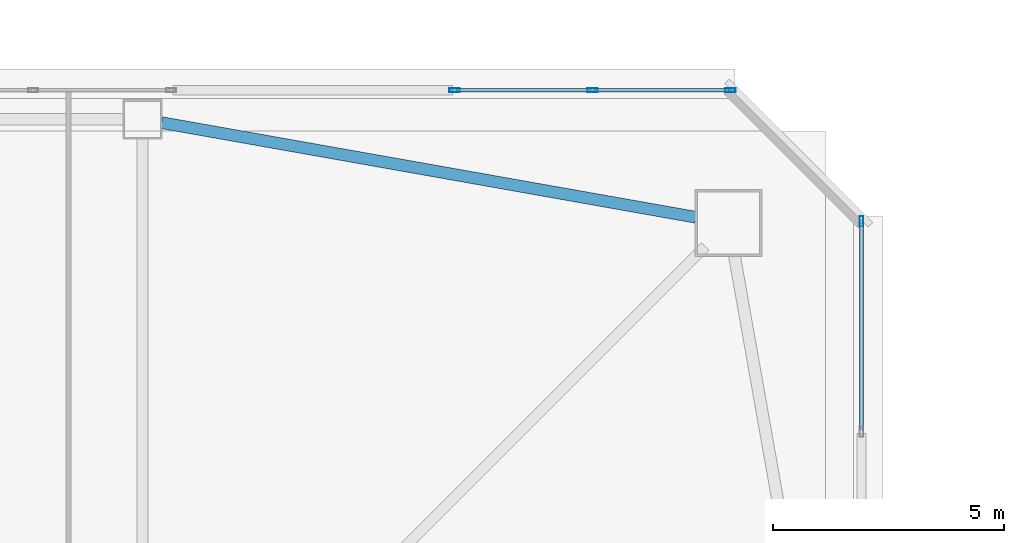
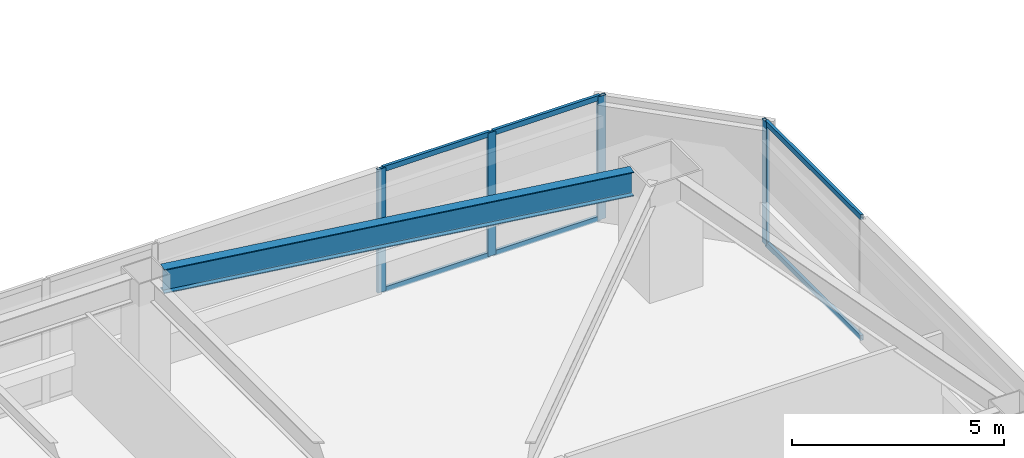
# One storey, part 15 of 44: 10 members, 1 beam, 2 elements without a shape of their own.
"""IFC4 building model written with IfcOpenShell, lengths in metres."""

import ifcopenshell
import ifcopenshell.guid

model = None  # the IFC model being written
_history = None  # IfcOwnerHistory: only IFC2X3 demands one
_inside = {}  # id of a spatial element -> (the spatial element, [elements in it])
_under = {}  # id of a project, library or spatial element -> (it, [spatial elements below it])
_declared = {}  # id of a project -> (the project, [libraries it declares])
_typed = {}  # id of a type object -> (the type object, [elements of that type])
_made_of = {}  # id of a material, layer set ... -> (it, [elements and type objects made of it])


def new_model(schema):
    """Start an empty IFC model of exactly this schema.

    Asked for "IFC4X3", IfcOpenShell would pick the latest addendum, in which some entities
    have other attributes; the version numbers below select the first issue.
    IFC2X3 requires an IfcOwnerHistory on every rooted entity: one is made here for all.
    """
    global model, _history
    if schema == "IFC4X3":
        model = ifcopenshell.file(schema_version=(4, 3, 0, 0))
    else:
        model = ifcopenshell.file(schema=schema)
    _inside.clear()
    _under.clear()
    _declared.clear()
    _typed.clear()
    _made_of.clear()
    _history = None
    if model.schema == "IFC2X3":
        org = make("IfcOrganization", Name="unknown")
        user = make(
            "IfcPersonAndOrganization",
            ThePerson=make("IfcPerson", FamilyName="unknown"),
            TheOrganization=org,
        )
        app = make(
            "IfcApplication",
            ApplicationDeveloper=org,
            Version="unknown",
            ApplicationFullName="unknown",
            ApplicationIdentifier="unknown",
        )
        _history = make(
            "IfcOwnerHistory",
            OwningUser=user,
            OwningApplication=app,
            ChangeAction="ADDED",
            CreationDate=0,
        )
    return model


def make(cls, **values):
    """One entity of the class cls with the attributes given. An attribute that is None is left unset."""
    return model.create_entity(
        cls, **{name: value for name, value in values.items() if value is not None}
    )


def rooted(cls, **values):
    """An entity with a GlobalId (a new one), such as an element, a storey or a relation."""
    return make(cls, GlobalId=ifcopenshell.guid.new(), OwnerHistory=_history, **values)


def si_unit(unit_type, name, prefix=None):
    """IfcSIUnit, for example si_unit("LENGTHUNIT", "METRE", prefix="MILLI")."""
    return make("IfcSIUnit", UnitType=unit_type, Prefix=prefix, Name=name)


def assignment(units):
    """IfcUnitAssignment: the units of a project."""
    return None if units is None else make("IfcUnitAssignment", Units=units)


def point(xyz):
    """IfcCartesianPoint."""
    return None if xyz is None else make("IfcCartesianPoint", Coordinates=xyz)


def direction(xyz):
    """IfcDirection."""
    return None if xyz is None else make("IfcDirection", DirectionRatios=xyz)


def frame(location, z_axis=None, x_axis=None):
    """IfcAxis2Placement3D, a coordinate frame: its origin and axes. An axis left out is left unset."""
    return make(
        "IfcAxis2Placement3D",
        Location=point(location),
        Axis=direction(z_axis),
        RefDirection=direction(x_axis),
    )


def frame_2d(location, x_axis=None):
    """IfcAxis2Placement2D, a coordinate frame in the plane: its origin and x axis."""
    return make(
        "IfcAxis2Placement2D", Location=point(location), RefDirection=direction(x_axis)
    )


def origin():
    """The frame at (0, 0, 0) with its axes left unset."""
    return frame((0.0, 0.0, 0.0))


def origin_2d():
    """The frame at (0, 0) in the plane with its x axis left unset."""
    return frame_2d((0.0, 0.0))


def place(relative_to, where):
    """IfcLocalPlacement: puts the frame where relative to a parent placement (None: the world)."""
    return make(
        "IfcLocalPlacement", PlacementRelTo=relative_to, RelativePlacement=where
    )


def context(
    kind, dimensions, precision=None, world=None, true_north=None, identifier=None
):
    """IfcGeometricRepresentationContext, for example the 3D "Model" context."""
    return make(
        "IfcGeometricRepresentationContext",
        ContextIdentifier=identifier,
        ContextType=kind,
        CoordinateSpaceDimension=dimensions,
        Precision=precision,
        WorldCoordinateSystem=world,
        TrueNorth=true_north,
    )


def subcontext(parent, identifier, kind, view, scale=None):
    """IfcGeometricRepresentationSubContext, for example "Body" below "Model"."""
    return make(
        "IfcGeometricRepresentationSubContext",
        ContextIdentifier=identifier,
        ContextType=kind,
        ParentContext=parent,
        TargetScale=scale,
        TargetView=view,
    )


def project(units=None, contexts=None):
    """IfcProject with its units and contexts."""
    return rooted(
        "IfcProject",
        Name="project",
        RepresentationContexts=contexts,
        UnitsInContext=assignment(units),
    )


def spatial(cls, under=None, at=None, **own):
    """A site, building, storey or space (cls), placed at a placement, below another one or the project."""
    s = rooted(cls, ObjectPlacement=at, **own)
    if under is not None:
        _under.setdefault(under.id(), (under, []))[1].append(s)
    return s


def profile(cls, at=None, kind="AREA", **sizes):
    """A parametric profile (cls). Its sizes go by their IFC names, for example OverallWidth=200.0."""
    return make(cls, ProfileType=kind, Position=at, **sizes)


def hollow_rectangle(**sizes):
    """IfcRectangleHollowProfileDef."""
    return profile("IfcRectangleHollowProfileDef", **sizes)


def i_section(**sizes):
    """IfcIShapeProfileDef."""
    return profile("IfcIShapeProfileDef", **sizes)


def extrude(swept, where, along, depth):
    """IfcExtrudedAreaSolid: the profile swept, set in the frame where, extruded along a direction by depth."""
    return make(
        "IfcExtrudedAreaSolid",
        SweptArea=swept,
        Position=where,
        ExtrudedDirection=direction(along),
        Depth=depth,
    )


def shape(context_of_items, identifier, shape_type, items):
    """IfcShapeRepresentation: the items that make up one representation, for example the "Body"."""
    return make(
        "IfcShapeRepresentation",
        ContextOfItems=context_of_items,
        RepresentationIdentifier=identifier,
        RepresentationType=shape_type,
        Items=items,
    )


def material(Name=None, Category=None):
    """IfcMaterial."""
    return make("IfcMaterial", Name=Name, Category=Category)


def material_profile(
    of_material, cross_section, Name=None, Category=None, Priority=None
):
    """IfcMaterialProfile: a cross section and its material."""
    return make(
        "IfcMaterialProfile",
        Name=Name,
        Material=of_material,
        Profile=cross_section,
        Priority=Priority,
        Category=Category,
    )


def profile_set(profiles, Name=None, composite=None):
    """IfcMaterialProfileSet."""
    return make(
        "IfcMaterialProfileSet",
        Name=Name,
        MaterialProfiles=profiles,
        CompositeProfile=composite,
    )


def made_of(thing, what):
    """Note that an element or type object is made of a material, layer set ...; save() writes the relation."""
    if what is not None:
        _made_of.setdefault(what.id(), (what, []))[1].append(thing)
    return thing


def type_object(cls, material=None, **own):
    """A type object (cls), such as IfcWallType, which elements share."""
    return made_of(rooted(cls, **own), material)


def element(
    cls,
    number,
    at=None,
    inside=None,
    cuts=None,
    type_object=None,
    material=None,
    context=None,
    identifier="Body",
    shape_type=None,
    held_by="IfcProductDefinitionShape",
    body=None,
    shapes=None,
    **own,
):
    """One element of the class cls, such as IfcWall. Its Tag is "e" and its number.

    at: its placement. inside: the storey or other place that contains it. cuts: it is an
    opening in that element (IfcRelVoidsElement). A single representation is given by context,
    identifier, shape_type and body (its items); several are given by shapes. held_by: the class
    of the entity that holds the representations. save() writes the other relations.
    """
    e = rooted(cls, Tag="e%d" % number, ObjectPlacement=at, **own)
    if body is not None:
        shapes = [shape(context, identifier, shape_type, body)]
    if shapes is not None:
        e.Representation = make(held_by, Representations=shapes)
    if inside is not None:
        _inside.setdefault(inside.id(), (inside, []))[1].append(e)
    if cuts is not None:
        rooted(
            "IfcRelVoidsElement", RelatingBuildingElement=cuts, RelatedOpeningElement=e
        )
    if type_object is not None:
        _typed.setdefault(type_object.id(), (type_object, []))[1].append(e)
    return made_of(e, material)


def aggregate(whole, parts):
    """IfcRelAggregates: a whole, such as a stair, and the parts it consists of."""
    return rooted("IfcRelAggregates", RelatingObject=whole, RelatedObjects=parts)


def save(model, path):
    """Write the relations noted so far, then the file.

    IfcRelAggregates (storeys below a building ...), IfcRelContainedInSpatialStructure (elements
    in a storey), IfcRelDefinesByType, IfcRelAssociatesMaterial and IfcRelDeclares: one each for
    every whole, place, type object, material and project.
    """
    for whole, parts in _under.values():
        aggregate(whole, parts)
    for where, things in _inside.values():
        rooted(
            "IfcRelContainedInSpatialStructure",
            RelatedElements=things,
            RelatingStructure=where,
        )
    for kind, things in _typed.values():
        rooted("IfcRelDefinesByType", RelatedObjects=things, RelatingType=kind)
    for what, things in _made_of.values():
        rooted("IfcRelAssociatesMaterial", RelatedObjects=things, RelatingMaterial=what)
    for by, libraries in _declared.values():
        rooted("IfcRelDeclares", RelatingContext=by, RelatedDefinitions=libraries)
    model.write(path)


model = new_model("IFC4")

# Units and contexts
model_context = context("Model", 3, precision=1e-05, world=origin(), true_north=direction((0.0, 1.0)))
body_context = subcontext(model_context, "Body", "Model", "MODEL_VIEW")
ifc_project = project(units=[si_unit("LENGTHUNIT", "METRE"), si_unit("AREAUNIT", "SQUARE_METRE"), si_unit("VOLUMEUNIT", "CUBIC_METRE"), si_unit("PLANEANGLEUNIT", "RADIAN"), si_unit("MASSUNIT", "GRAM", prefix="KILO")], contexts=[model_context])

# Site, building, storey
site_placement = place(None, origin())
site = spatial("IfcSite", under=ifc_project, at=site_placement, CompositionType="ELEMENT")
building_placement = place(site_placement, origin())
building = spatial("IfcBuilding", under=site, at=building_placement, Name="Tashvorn Skyway Center", CompositionType="ELEMENT")
storey_placement = place(building_placement, frame((0.0, 0.0, 84.949951171875)))
storey = spatial("IfcBuildingStorey", under=building, at=storey_placement, Name="L22", CompositionType="ELEMENT", Elevation=84.949951171875)

# Beam
ifc_material_1 = material(Name="Steel ASTM A992 Grade 50", Category="steel")
ifc_material_profile_1 = material_profile(ifc_material_1, i_section(OverallWidth=0.256103515625, OverallDepth=0.693115234375, WebThickness=0.014404296875, FlangeThickness=0.023681640625, at=origin_2d()), Name="W27X114")
ifc_profile_set_1 = profile_set([ifc_material_profile_1], Name="Steel ASTM A992 Grade 50")
beam_type = type_object("IfcBeamType", Name="BM-SPANDREL-W27X114", PredefinedType="SPANDREL", material=ifc_profile_set_1)
beam_placement = place(storey_placement, frame((59.39111328125, 50.2255859375, 3.003662109375), z_axis=(-0.98466816531, 0.174437966698, 0.0), x_axis=(-0.174437966698, -0.98466816531, 0.0)))
element("IfcBeam", 1, at=beam_placement, inside=storey, type_object=beam_type, Name="Tower 1 L22 Spandrel Beam 07", PredefinedType="SPANDREL", context=body_context, shape_type="SweptSolid", body=[
    extrude(i_section(OverallWidth=0.256103515625, OverallDepth=0.693115234375, WebThickness=0.014404296875, FlangeThickness=0.023681640625, at=origin_2d()), origin(), (0.0, 0.0, 1.0), 11.7578125),
])

# Curtain wall, members
ifc_material_2 = material(Name="Thermally broken bronze-anodized aluminium 6063-T6", Category="aluminium")
curtain_wall_type = type_object("IfcCurtainWallType", Name="CW-CW-Z2", PredefinedType="NOTDEFINED", material=ifc_material_2)
curtain_wall_1_placement = place(storey_placement, origin())
curtain_wall_1 = element("IfcCurtainWall", 2, at=curtain_wall_1_placement, inside=storey, type_object=curtain_wall_type, Name="Tower 1 L22 North Unitised Curtain Wall Glazing Group 3", PredefinedType="NOTDEFINED")
ifc_material_profile_2 = material_profile(ifc_material_2, hollow_rectangle(XDim=0.080078125, YDim=0.219970703125, WallThickness=0.0048828125, at=origin_2d()), Name="ALU-MULL-80x220")
ifc_profile_set_2 = profile_set([ifc_material_profile_2], Name="Thermally broken bronze-anodized aluminium 6063-T6")
member_type_1 = type_object("IfcMemberType", Name="CWM-CW-Z2", PredefinedType="MULLION", material=ifc_profile_set_2)
member_1_placement = place(storey_placement, frame((54.159912109375, 52.97998046875, 0.0), z_axis=(0.0, 0.0, 1.0), x_axis=(0.0, 1.0, 0.0)))
member_1 = element("IfcMember", 3, at=member_1_placement, type_object=member_type_1, Name="CW-Z2 mullion 1", PredefinedType="MULLION", context=body_context, shape_type="SweptSolid", body=[
    extrude(hollow_rectangle(XDim=0.080078125, YDim=0.219970703125, WallThickness=0.0048828125, at=origin_2d()), origin(), (0.0, 0.0, 1.0), 3.550048828125),
])
member_2_placement = place(storey_placement, frame((57.14990234375, 52.97998046875, 0.0), z_axis=(0.0, 0.0, 1.0), x_axis=(0.0, 1.0, 0.0)))
member_2 = element("IfcMember", 4, at=member_2_placement, type_object=member_type_1, Name="CW-Z2 mullion 2", PredefinedType="MULLION", context=body_context, shape_type="SweptSolid", body=[
    extrude(hollow_rectangle(XDim=0.080078125, YDim=0.219970703125, WallThickness=0.0048828125, at=origin_2d()), origin(), (0.0, 0.0, 1.0), 3.550048828125),
])
member_3_placement = place(storey_placement, frame((60.139892578125, 52.97998046875, 0.0), z_axis=(0.0, 0.0, 1.0), x_axis=(0.0, 1.0, 0.0)))
member_3 = element("IfcMember", 5, at=member_3_placement, type_object=member_type_1, Name="CW-Z2 mullion 3", PredefinedType="MULLION", context=body_context, shape_type="SweptSolid", body=[
    extrude(hollow_rectangle(XDim=0.080078125, YDim=0.219970703125, WallThickness=0.0048828125, at=origin_2d()), origin(), (0.0, 0.0, 1.0), 3.550048828125),
])

# Curtain wall, member
curtain_wall_2_placement = place(storey_placement, origin())
curtain_wall_2 = element("IfcCurtainWall", 6, at=curtain_wall_2_placement, inside=storey, type_object=curtain_wall_type, Name="Tower 1 L22 East Curtain Wall L Glazing Group 1", PredefinedType="NOTDEFINED")
member_4_placement = place(storey_placement, frame((62.97998046875, 50.139892578125, 0.0), z_axis=(0.0, 0.0, 1.0), x_axis=(1.0, 0.0, 0.0)))
member_4 = element("IfcMember", 7, at=member_4_placement, type_object=member_type_1, Name="CW-Z2 mullion 1", PredefinedType="MULLION", context=body_context, shape_type="SweptSolid", body=[
    extrude(hollow_rectangle(XDim=0.080078125, YDim=0.219970703125, WallThickness=0.0048828125, at=origin_2d()), origin(), (0.0, 0.0, 1.0), 3.550048828125),
])

# Member
ifc_material_profile_3 = material_profile(ifc_material_2, hollow_rectangle(XDim=0.080078125, YDim=0.14990234375, WallThickness=0.00439453125, at=origin_2d()), Name="ALU-TRAN-80x150")
ifc_profile_set_3 = profile_set([ifc_material_profile_3], Name="Thermally broken bronze-anodized aluminium 6063-T6")
member_type_2 = type_object("IfcMemberType", Name="CWT-CW-Z2", PredefinedType="USERDEFINED", material=ifc_profile_set_3)
member_5_placement = place(storey_placement, frame((54.199951171875, 52.97998046875, 0.0400390625), z_axis=(1.0, 0.0, 0.0), x_axis=(0.0, 1.0, 0.0)))
member_5 = element("IfcMember", 8, at=member_5_placement, type_object=member_type_2, Name="CW-Z2 transom 1.1", ObjectType="TRANSOM", PredefinedType="USERDEFINED", context=body_context, shape_type="SweptSolid", body=[
    extrude(hollow_rectangle(XDim=0.080078125, YDim=0.14990234375, WallThickness=0.00439453125, at=origin_2d()), origin(), (0.0, 0.0, 1.0), 2.91015625),
])

member_6_placement = place(storey_placement, frame((54.199951171875, 52.97998046875, 3.510009765625), z_axis=(1.0, 0.0, 0.0), x_axis=(0.0, 1.0, 0.0)))
member_6 = element("IfcMember", 9, at=member_6_placement, type_object=member_type_2, Name="CW-Z2 transom 1.2", ObjectType="TRANSOM", PredefinedType="USERDEFINED", context=body_context, shape_type="SweptSolid", body=[
    extrude(hollow_rectangle(XDim=0.080078125, YDim=0.14990234375, WallThickness=0.00439453125, at=origin_2d()), origin(), (0.0, 0.0, 1.0), 2.91015625),
])

member_7_placement = place(storey_placement, frame((57.18994140625, 52.97998046875, 0.0400390625), z_axis=(1.0, 0.0, 0.0), x_axis=(0.0, 1.0, 0.0)))
member_7 = element("IfcMember", 10, at=member_7_placement, type_object=member_type_2, Name="CW-Z2 transom 2.1", ObjectType="TRANSOM", PredefinedType="USERDEFINED", context=body_context, shape_type="SweptSolid", body=[
    extrude(hollow_rectangle(XDim=0.080078125, YDim=0.14990234375, WallThickness=0.00439453125, at=origin_2d()), origin(), (0.0, 0.0, 1.0), 2.91015625),
])

member_8_placement = place(storey_placement, frame((57.18994140625, 52.97998046875, 3.510009765625), z_axis=(1.0, 0.0, 0.0), x_axis=(0.0, 1.0, 0.0)))
member_8 = element("IfcMember", 11, at=member_8_placement, type_object=member_type_2, Name="CW-Z2 transom 2.2", ObjectType="TRANSOM", PredefinedType="USERDEFINED", context=body_context, shape_type="SweptSolid", body=[
    extrude(hollow_rectangle(XDim=0.080078125, YDim=0.14990234375, WallThickness=0.00439453125, at=origin_2d()), origin(), (0.0, 0.0, 1.0), 2.91015625),
])

aggregate(curtain_wall_1, [member_1, member_2, member_3, member_5, member_6, member_7, member_8])

member_9_placement = place(storey_placement, frame((62.97998046875, 50.10009765625, 0.0400390625), z_axis=(0.0, -1.0, 0.0), x_axis=(1.0, 0.0, 0.0)))
member_9 = element("IfcMember", 12, at=member_9_placement, type_object=member_type_2, Name="CW-Z2 transom 1.1", ObjectType="TRANSOM", PredefinedType="USERDEFINED", context=body_context, shape_type="SweptSolid", body=[
    extrude(hollow_rectangle(XDim=0.080078125, YDim=0.14990234375, WallThickness=0.00439453125, at=origin_2d()), origin(), (0.0, 0.0, 1.0), 4.4833984375),
])

member_10_placement = place(storey_placement, frame((62.97998046875, 50.10009765625, 3.510009765625), z_axis=(0.0, -1.0, 0.0), x_axis=(1.0, 0.0, 0.0)))
member_10 = element("IfcMember", 13, at=member_10_placement, type_object=member_type_2, Name="CW-Z2 transom 1.2", ObjectType="TRANSOM", PredefinedType="USERDEFINED", context=body_context, shape_type="SweptSolid", body=[
    extrude(hollow_rectangle(XDim=0.080078125, YDim=0.14990234375, WallThickness=0.00439453125, at=origin_2d()), origin(), (0.0, 0.0, 1.0), 4.4833984375),
])

aggregate(curtain_wall_2, [member_4, member_9, member_10])

save(model, "model.ifc")
